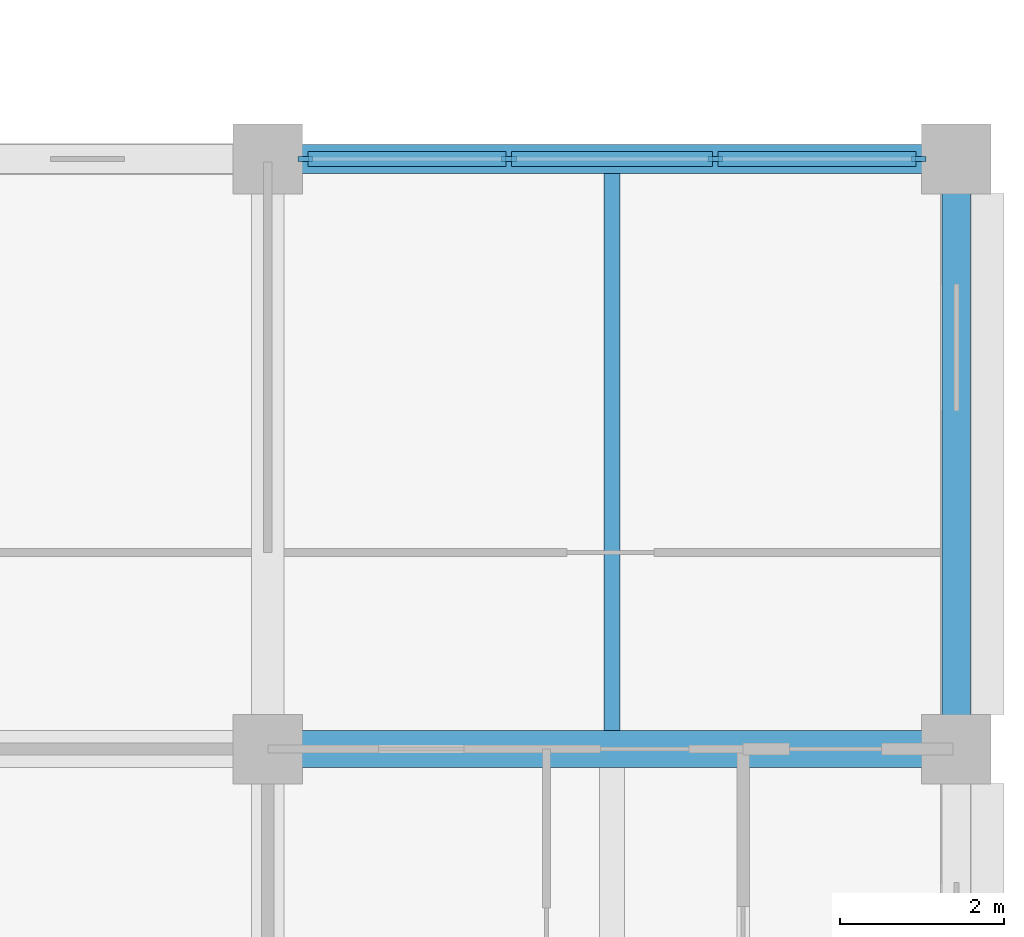
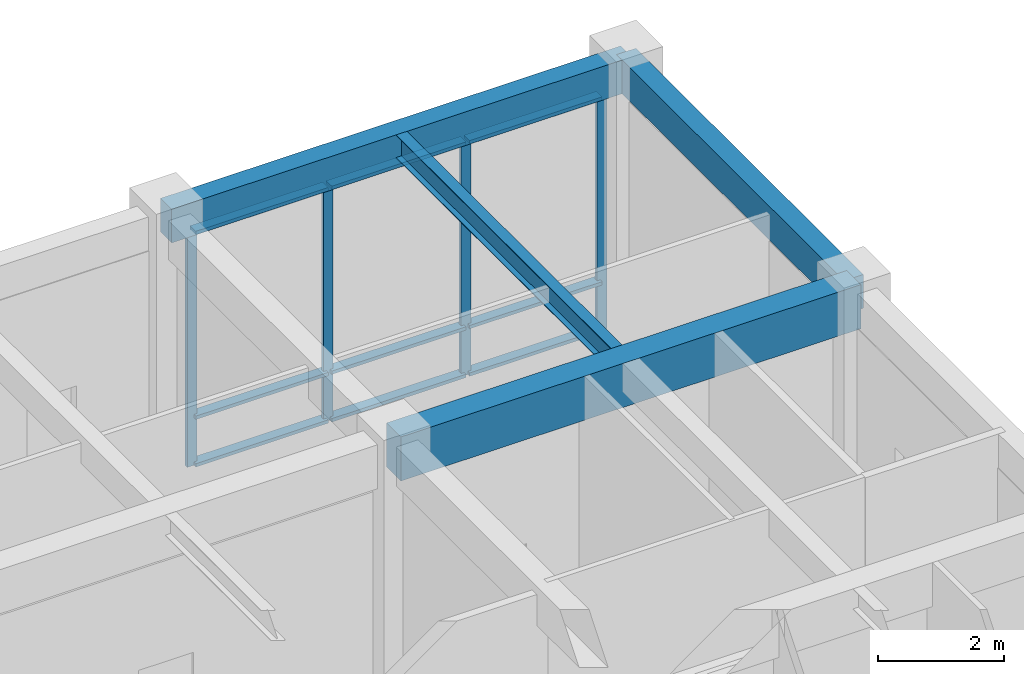
# One storey, part 25 of 58: 13 members, 4 beams, 1 element without a shape of its own.
"""IFC4 building model written with IfcOpenShell, lengths in metres."""

import ifcopenshell
import ifcopenshell.guid

model = None  # the IFC model being written
_history = None  # IfcOwnerHistory: only IFC2X3 demands one
_inside = {}  # id of a spatial element -> (the spatial element, [elements in it])
_under = {}  # id of a project, library or spatial element -> (it, [spatial elements below it])
_declared = {}  # id of a project -> (the project, [libraries it declares])
_typed = {}  # id of a type object -> (the type object, [elements of that type])
_made_of = {}  # id of a material, layer set ... -> (it, [elements and type objects made of it])


def new_model(schema):
    """Start an empty IFC model of exactly this schema.

    Asked for "IFC4X3", IfcOpenShell would pick the latest addendum, in which some entities
    have other attributes; the version numbers below select the first issue.
    IFC2X3 requires an IfcOwnerHistory on every rooted entity: one is made here for all.
    """
    global model, _history
    if schema == "IFC4X3":
        model = ifcopenshell.file(schema_version=(4, 3, 0, 0))
    else:
        model = ifcopenshell.file(schema=schema)
    _inside.clear()
    _under.clear()
    _declared.clear()
    _typed.clear()
    _made_of.clear()
    _history = None
    if model.schema == "IFC2X3":
        org = make("IfcOrganization", Name="unknown")
        user = make(
            "IfcPersonAndOrganization",
            ThePerson=make("IfcPerson", FamilyName="unknown"),
            TheOrganization=org,
        )
        app = make(
            "IfcApplication",
            ApplicationDeveloper=org,
            Version="unknown",
            ApplicationFullName="unknown",
            ApplicationIdentifier="unknown",
        )
        _history = make(
            "IfcOwnerHistory",
            OwningUser=user,
            OwningApplication=app,
            ChangeAction="ADDED",
            CreationDate=0,
        )
    return model


def make(cls, **values):
    """One entity of the class cls with the attributes given. An attribute that is None is left unset."""
    return model.create_entity(
        cls, **{name: value for name, value in values.items() if value is not None}
    )


def rooted(cls, **values):
    """An entity with a GlobalId (a new one), such as an element, a storey or a relation."""
    return make(cls, GlobalId=ifcopenshell.guid.new(), OwnerHistory=_history, **values)


def si_unit(unit_type, name, prefix=None):
    """IfcSIUnit, for example si_unit("LENGTHUNIT", "METRE", prefix="MILLI")."""
    return make("IfcSIUnit", UnitType=unit_type, Prefix=prefix, Name=name)


def assignment(units):
    """IfcUnitAssignment: the units of a project."""
    return None if units is None else make("IfcUnitAssignment", Units=units)


def point(xyz):
    """IfcCartesianPoint."""
    return None if xyz is None else make("IfcCartesianPoint", Coordinates=xyz)


def direction(xyz):
    """IfcDirection."""
    return None if xyz is None else make("IfcDirection", DirectionRatios=xyz)


def frame(location, z_axis=None, x_axis=None):
    """IfcAxis2Placement3D, a coordinate frame: its origin and axes. An axis left out is left unset."""
    return make(
        "IfcAxis2Placement3D",
        Location=point(location),
        Axis=direction(z_axis),
        RefDirection=direction(x_axis),
    )


def frame_2d(location, x_axis=None):
    """IfcAxis2Placement2D, a coordinate frame in the plane: its origin and x axis."""
    return make(
        "IfcAxis2Placement2D", Location=point(location), RefDirection=direction(x_axis)
    )


def origin():
    """The frame at (0, 0, 0) with its axes left unset."""
    return frame((0.0, 0.0, 0.0))


def origin_2d():
    """The frame at (0, 0) in the plane with its x axis left unset."""
    return frame_2d((0.0, 0.0))


def place(relative_to, where):
    """IfcLocalPlacement: puts the frame where relative to a parent placement (None: the world)."""
    return make(
        "IfcLocalPlacement", PlacementRelTo=relative_to, RelativePlacement=where
    )


def context(
    kind, dimensions, precision=None, world=None, true_north=None, identifier=None
):
    """IfcGeometricRepresentationContext, for example the 3D "Model" context."""
    return make(
        "IfcGeometricRepresentationContext",
        ContextIdentifier=identifier,
        ContextType=kind,
        CoordinateSpaceDimension=dimensions,
        Precision=precision,
        WorldCoordinateSystem=world,
        TrueNorth=true_north,
    )


def subcontext(parent, identifier, kind, view, scale=None):
    """IfcGeometricRepresentationSubContext, for example "Body" below "Model"."""
    return make(
        "IfcGeometricRepresentationSubContext",
        ContextIdentifier=identifier,
        ContextType=kind,
        ParentContext=parent,
        TargetScale=scale,
        TargetView=view,
    )


def project(units=None, contexts=None):
    """IfcProject with its units and contexts."""
    return rooted(
        "IfcProject",
        Name="project",
        RepresentationContexts=contexts,
        UnitsInContext=assignment(units),
    )


def spatial(cls, under=None, at=None, **own):
    """A site, building, storey or space (cls), placed at a placement, below another one or the project."""
    s = rooted(cls, ObjectPlacement=at, **own)
    if under is not None:
        _under.setdefault(under.id(), (under, []))[1].append(s)
    return s


def profile(cls, at=None, kind="AREA", **sizes):
    """A parametric profile (cls). Its sizes go by their IFC names, for example OverallWidth=200.0."""
    return make(cls, ProfileType=kind, Position=at, **sizes)


def rectangle(**sizes):
    """IfcRectangleProfileDef."""
    return profile("IfcRectangleProfileDef", **sizes)


def i_section(**sizes):
    """IfcIShapeProfileDef."""
    return profile("IfcIShapeProfileDef", **sizes)


def extrude(swept, where, along, depth):
    """IfcExtrudedAreaSolid: the profile swept, set in the frame where, extruded along a direction by depth."""
    return make(
        "IfcExtrudedAreaSolid",
        SweptArea=swept,
        Position=where,
        ExtrudedDirection=direction(along),
        Depth=depth,
    )


def shape(context_of_items, identifier, shape_type, items):
    """IfcShapeRepresentation: the items that make up one representation, for example the "Body"."""
    return make(
        "IfcShapeRepresentation",
        ContextOfItems=context_of_items,
        RepresentationIdentifier=identifier,
        RepresentationType=shape_type,
        Items=items,
    )


def material(Name=None, Category=None):
    """IfcMaterial."""
    return make("IfcMaterial", Name=Name, Category=Category)


def layer(
    of_material, thickness, ventilated=None, Name=None, Category=None, Priority=None
):
    """IfcMaterialLayer: one layer of a wall or slab, of a material (None: an air gap)."""
    return make(
        "IfcMaterialLayer",
        Material=of_material,
        LayerThickness=thickness,
        IsVentilated=ventilated,
        Name=Name,
        Category=Category,
        Priority=Priority,
    )


def layer_set(layers, Name=None):
    """IfcMaterialLayerSet."""
    return make("IfcMaterialLayerSet", MaterialLayers=layers, LayerSetName=Name)


def material_profile(
    of_material, cross_section, Name=None, Category=None, Priority=None
):
    """IfcMaterialProfile: a cross section and its material."""
    return make(
        "IfcMaterialProfile",
        Name=Name,
        Material=of_material,
        Profile=cross_section,
        Priority=Priority,
        Category=Category,
    )


def profile_set(profiles, Name=None, composite=None):
    """IfcMaterialProfileSet."""
    return make(
        "IfcMaterialProfileSet",
        Name=Name,
        MaterialProfiles=profiles,
        CompositeProfile=composite,
    )


def made_of(thing, what):
    """Note that an element or type object is made of a material, layer set ...; save() writes the relation."""
    if what is not None:
        _made_of.setdefault(what.id(), (what, []))[1].append(thing)
    return thing


def type_object(cls, material=None, **own):
    """A type object (cls), such as IfcWallType, which elements share."""
    return made_of(rooted(cls, **own), material)


def element(
    cls,
    number,
    at=None,
    inside=None,
    cuts=None,
    type_object=None,
    material=None,
    context=None,
    identifier="Body",
    shape_type=None,
    held_by="IfcProductDefinitionShape",
    body=None,
    shapes=None,
    **own,
):
    """One element of the class cls, such as IfcWall. Its Tag is "e" and its number.

    at: its placement. inside: the storey or other place that contains it. cuts: it is an
    opening in that element (IfcRelVoidsElement). A single representation is given by context,
    identifier, shape_type and body (its items); several are given by shapes. held_by: the class
    of the entity that holds the representations. save() writes the other relations.
    """
    e = rooted(cls, Tag="e%d" % number, ObjectPlacement=at, **own)
    if body is not None:
        shapes = [shape(context, identifier, shape_type, body)]
    if shapes is not None:
        e.Representation = make(held_by, Representations=shapes)
    if inside is not None:
        _inside.setdefault(inside.id(), (inside, []))[1].append(e)
    if cuts is not None:
        rooted(
            "IfcRelVoidsElement", RelatingBuildingElement=cuts, RelatedOpeningElement=e
        )
    if type_object is not None:
        _typed.setdefault(type_object.id(), (type_object, []))[1].append(e)
    return made_of(e, material)


def aggregate(whole, parts):
    """IfcRelAggregates: a whole, such as a stair, and the parts it consists of."""
    return rooted("IfcRelAggregates", RelatingObject=whole, RelatedObjects=parts)


def save(model, path):
    """Write the relations noted so far, then the file.

    IfcRelAggregates (storeys below a building ...), IfcRelContainedInSpatialStructure (elements
    in a storey), IfcRelDefinesByType, IfcRelAssociatesMaterial and IfcRelDeclares: one each for
    every whole, place, type object, material and project.
    """
    for whole, parts in _under.values():
        aggregate(whole, parts)
    for where, things in _inside.values():
        rooted(
            "IfcRelContainedInSpatialStructure",
            RelatedElements=things,
            RelatingStructure=where,
        )
    for kind, things in _typed.values():
        rooted("IfcRelDefinesByType", RelatedObjects=things, RelatingType=kind)
    for what, things in _made_of.values():
        rooted("IfcRelAssociatesMaterial", RelatedObjects=things, RelatingMaterial=what)
    for by, libraries in _declared.values():
        rooted("IfcRelDeclares", RelatingContext=by, RelatedDefinitions=libraries)
    model.write(path)


model = new_model("IFC4")

# Units and contexts
model_context = context("Model", 3, precision=1e-05, world=origin(), true_north=direction((0.0, 1.0)))
body_context = subcontext(model_context, "Body", "Model", "MODEL_VIEW")
ifc_project = project(units=[si_unit("LENGTHUNIT", "METRE"), si_unit("AREAUNIT", "SQUARE_METRE"), si_unit("VOLUMEUNIT", "CUBIC_METRE"), si_unit("PLANEANGLEUNIT", "RADIAN"), si_unit("MASSUNIT", "GRAM", prefix="KILO")], contexts=[model_context])

# Site, building, storey
site_placement = place(None, origin())
site = spatial("IfcSite", under=ifc_project, at=site_placement, CompositionType="ELEMENT")
building_placement = place(site_placement, origin())
building = spatial("IfcBuilding", under=site, at=building_placement, Name="Chengyuan Square Courthouse", CompositionType="ELEMENT")
storey_placement = place(building_placement, frame((0.0, 0.0, 16.199951171875)))
storey = spatial("IfcBuildingStorey", under=building, at=storey_placement, Name="L04", CompositionType="ELEMENT", Elevation=16.199951171875)

# Beams
ifc_material_1 = material(Name="Concrete C40", Category="concrete")
ifc_material_profile_1 = material_profile(ifc_material_1, rectangle(XDim=0.449951171875, YDim=0.85009765625, at=origin_2d()), Name="RC-BM-450x850")
ifc_profile_set_1 = profile_set([ifc_material_profile_1], Name="Concrete C40")
beam_type_1 = type_object("IfcBeamType", Name="BM-01", PredefinedType="USERDEFINED", material=ifc_profile_set_1)
beam_1_placement = place(storey_placement, frame((159.60009765625, 100.800048828125, 4.775146484375), z_axis=(1.0, 0.0, 0.0), x_axis=(0.0, 1.0, 0.0)))
element("IfcBeam", 1, at=beam_1_placement, inside=storey, type_object=beam_type_1, Name="Girder BM-L04-2940", ObjectType="GIRDER", PredefinedType="USERDEFINED", context=body_context, shape_type="SweptSolid", body=[
    extrude(rectangle(XDim=0.449951171875, YDim=0.85009765625, at=origin_2d()), origin(), (0.0, 0.0, 1.0), 8.39990234375),
])
ifc_material_profile_2 = material_profile(ifc_material_1, rectangle(XDim=0.35009765625, YDim=0.64990234375, at=origin_2d()), Name="RC-BM-350x650")
ifc_profile_set_2 = profile_set([ifc_material_profile_2], Name="Concrete C40")
beam_type_2 = type_object("IfcBeamType", Name="BM-03", PredefinedType="SPANDREL", material=ifc_profile_set_2)
beam_2_placement = place(storey_placement, frame((159.60009765625, 108.0, 4.875), z_axis=(1.0, 0.0, 0.0), x_axis=(0.0, 1.0, 0.0)))
element("IfcBeam", 2, at=beam_2_placement, inside=storey, type_object=beam_type_2, Name="Girder BM-L04-2960", PredefinedType="SPANDREL", context=body_context, shape_type="SweptSolid", body=[
    extrude(rectangle(XDim=0.35009765625, YDim=0.64990234375, at=origin_2d()), origin(), (0.0, 0.0, 1.0), 8.39990234375),
])
beam_3_placement = place(storey_placement, frame((168.0, 100.800048828125, 4.875), z_axis=(0.0, 1.0, 0.0), x_axis=(-1.0, 0.0, 0.0)))
element("IfcBeam", 3, at=beam_3_placement, inside=storey, type_object=beam_type_2, Name="Girder BM-L04-3092", PredefinedType="SPANDREL", context=body_context, shape_type="SweptSolid", body=[
    extrude(rectangle(XDim=0.35009765625, YDim=0.64990234375, at=origin_2d()), origin(), (0.0, 0.0, 1.0), 7.199951171875),
])
ifc_material_2 = material(Name="Steel Q355B", Category="steel")
ifc_material_profile_3 = material_profile(ifc_material_2, i_section(OverallWidth=0.199951171875, OverallDepth=0.449951171875, WebThickness=0.009033203125, FlangeThickness=0.013916015625, at=origin_2d()), Name="HN 450x200x9x14")
ifc_profile_set_3 = profile_set([ifc_material_profile_3], Name="Steel Q355B")
beam_type_3 = type_object("IfcBeamType", Name="BM-06", PredefinedType="BEAM", material=ifc_profile_set_3)
beam_4_placement = place(storey_placement, frame((163.800048828125, 101.02490234375, 4.97509765625), z_axis=(0.0, 1.0, 0.0), x_axis=(-1.0, 0.0, 0.0)))
element("IfcBeam", 4, at=beam_4_placement, inside=storey, type_object=beam_type_3, Name="Secondary Floor Beam SBM-L04-3194", PredefinedType="BEAM", context=body_context, shape_type="SweptSolid", body=[
    extrude(i_section(OverallWidth=0.199951171875, OverallDepth=0.449951171875, WebThickness=0.009033203125, FlangeThickness=0.013916015625, at=origin_2d()), origin(), (0.0, 0.0, 1.0), 6.800048828125),
])

# Curtain wall, members
ifc_material_3 = material(Name="Unitised Aluminium and Triple Low-E Glass", Category="aluminium")
ifc_layer = layer(ifc_material_3, 0.179931640625)
ifc_layer_set = layer_set([ifc_layer], Name="Unitised Aluminium and Triple Low-E Glass")
curtain_wall_type = type_object("IfcCurtainWallType", Name="CW-10", PredefinedType="USERDEFINED", material=ifc_layer_set)
curtain_wall_placement = place(storey_placement, origin())
curtain_wall = element("IfcCurtainWall", 5, at=curtain_wall_placement, inside=storey, type_object=curtain_wall_type, Name="Unitised Curtain Wall CW-L04-162", ObjectType="UNITISED CURTAIN WALL", PredefinedType="USERDEFINED")
ifc_material_4 = material(Name="Aluminium 6063-T6 Frame", Category="aluminium")
ifc_material_profile_4 = material_profile(ifc_material_4, rectangle(XDim=0.06494140625, YDim=0.179931640625, at=origin_2d()), Name="CW-MUL-65x180")
ifc_profile_set_4 = profile_set([ifc_material_profile_4], Name="Aluminium 6063-T6 Frame")
member_type_1 = type_object("IfcMemberType", Name="CWM-02", PredefinedType="MULLION", material=ifc_profile_set_4)
member_1_placement = place(storey_placement, frame((160.0576171875, 108.0, 0.0), z_axis=(0.0, 0.0, 1.0), x_axis=(0.0, 1.0, 0.0)))
member_1 = element("IfcMember", 6, at=member_1_placement, type_object=member_type_1, Name="CW-10 mullion 1", PredefinedType="MULLION", context=body_context, shape_type="SweptSolid", body=[
    extrude(rectangle(XDim=0.06494140625, YDim=0.179931640625, at=origin_2d()), origin(), (0.0, 0.0, 1.0), 4.550048828125),
])
member_2_placement = place(storey_placement, frame((162.541748046875, 108.0, 0.0), z_axis=(0.0, 0.0, 1.0), x_axis=(0.0, 1.0, 0.0)))
member_2 = element("IfcMember", 7, at=member_2_placement, type_object=member_type_1, Name="CW-10 mullion 2", PredefinedType="MULLION", context=body_context, shape_type="SweptSolid", body=[
    extrude(rectangle(XDim=0.06494140625, YDim=0.179931640625, at=origin_2d()), origin(), (0.0, 0.0, 1.0), 4.550048828125),
])
member_3_placement = place(storey_placement, frame((165.058349609375, 108.0, 0.0), z_axis=(0.0, 0.0, 1.0), x_axis=(0.0, 1.0, 0.0)))
member_3 = element("IfcMember", 8, at=member_3_placement, type_object=member_type_1, Name="CW-10 mullion 3", PredefinedType="MULLION", context=body_context, shape_type="SweptSolid", body=[
    extrude(rectangle(XDim=0.06494140625, YDim=0.179931640625, at=origin_2d()), origin(), (0.0, 0.0, 1.0), 4.550048828125),
])
member_4_placement = place(storey_placement, frame((167.54248046875, 108.0, 0.0), z_axis=(0.0, 0.0, 1.0), x_axis=(0.0, 1.0, 0.0)))
member_4 = element("IfcMember", 9, at=member_4_placement, type_object=member_type_1, Name="CW-10 mullion 4", PredefinedType="MULLION", context=body_context, shape_type="SweptSolid", body=[
    extrude(rectangle(XDim=0.06494140625, YDim=0.179931640625, at=origin_2d()), origin(), (0.0, 0.0, 1.0), 4.550048828125),
])
ifc_material_profile_5 = material_profile(ifc_material_4, rectangle(XDim=0.179931640625, YDim=0.06494140625, at=origin_2d()), Name="CW-TRN-65x140")
ifc_profile_set_5 = profile_set([ifc_material_profile_5], Name="Aluminium 6063-T6 Frame")
member_type_2 = type_object("IfcMemberType", Name="CWT-02", PredefinedType="USERDEFINED", material=ifc_profile_set_5)
member_5_placement = place(storey_placement, frame((160.090087890625, 108.0, 0.032470703125), z_axis=(1.0, 0.0, 0.0), x_axis=(0.0, 1.0, 0.0)))
member_5 = element("IfcMember", 10, at=member_5_placement, type_object=member_type_2, Name="CW-10 transom 1.1", ObjectType="TRANSOM", PredefinedType="USERDEFINED", context=body_context, shape_type="SweptSolid", body=[
    extrude(rectangle(XDim=0.179931640625, YDim=0.06494140625, at=origin_2d()), origin(), (0.0, 0.0, 1.0), 2.419189453125),
])
member_6_placement = place(storey_placement, frame((160.090087890625, 108.0, 0.949951171875), z_axis=(1.0, 0.0, 0.0), x_axis=(0.0, 1.0, 0.0)))
member_6 = element("IfcMember", 11, at=member_6_placement, type_object=member_type_2, Name="CW-10 transom 1.2", ObjectType="TRANSOM", PredefinedType="USERDEFINED", context=body_context, shape_type="SweptSolid", body=[
    extrude(rectangle(XDim=0.179931640625, YDim=0.06494140625, at=origin_2d()), origin(), (0.0, 0.0, 1.0), 2.419189453125),
])
member_7_placement = place(storey_placement, frame((160.090087890625, 108.0, 4.517578125), z_axis=(1.0, 0.0, 0.0), x_axis=(0.0, 1.0, 0.0)))
member_7 = element("IfcMember", 12, at=member_7_placement, type_object=member_type_2, Name="CW-10 transom 1.3", ObjectType="TRANSOM", PredefinedType="USERDEFINED", context=body_context, shape_type="SweptSolid", body=[
    extrude(rectangle(XDim=0.179931640625, YDim=0.06494140625, at=origin_2d()), origin(), (0.0, 0.0, 1.0), 2.419189453125),
])
member_8_placement = place(storey_placement, frame((162.57421875, 108.0, 0.032470703125), z_axis=(1.0, 0.0, 0.0), x_axis=(0.0, 1.0, 0.0)))
member_8 = element("IfcMember", 13, at=member_8_placement, type_object=member_type_2, Name="CW-10 transom 2.1", ObjectType="TRANSOM", PredefinedType="USERDEFINED", context=body_context, shape_type="SweptSolid", body=[
    extrude(rectangle(XDim=0.179931640625, YDim=0.06494140625, at=origin_2d()), origin(), (0.0, 0.0, 1.0), 2.45166015625),
])
member_9_placement = place(storey_placement, frame((162.57421875, 108.0, 0.949951171875), z_axis=(1.0, 0.0, 0.0), x_axis=(0.0, 1.0, 0.0)))
member_9 = element("IfcMember", 14, at=member_9_placement, type_object=member_type_2, Name="CW-10 transom 2.2", ObjectType="TRANSOM", PredefinedType="USERDEFINED", context=body_context, shape_type="SweptSolid", body=[
    extrude(rectangle(XDim=0.179931640625, YDim=0.06494140625, at=origin_2d()), origin(), (0.0, 0.0, 1.0), 2.45166015625),
])
member_10_placement = place(storey_placement, frame((162.57421875, 108.0, 4.517578125), z_axis=(1.0, 0.0, 0.0), x_axis=(0.0, 1.0, 0.0)))
member_10 = element("IfcMember", 15, at=member_10_placement, type_object=member_type_2, Name="CW-10 transom 2.3", ObjectType="TRANSOM", PredefinedType="USERDEFINED", context=body_context, shape_type="SweptSolid", body=[
    extrude(rectangle(XDim=0.179931640625, YDim=0.06494140625, at=origin_2d()), origin(), (0.0, 0.0, 1.0), 2.45166015625),
])
member_11_placement = place(storey_placement, frame((165.0908203125, 108.0, 0.032470703125), z_axis=(1.0, 0.0, 0.0), x_axis=(0.0, 1.0, 0.0)))
member_11 = element("IfcMember", 16, at=member_11_placement, type_object=member_type_2, Name="CW-10 transom 3.1", ObjectType="TRANSOM", PredefinedType="USERDEFINED", context=body_context, shape_type="SweptSolid", body=[
    extrude(rectangle(XDim=0.179931640625, YDim=0.06494140625, at=origin_2d()), origin(), (0.0, 0.0, 1.0), 2.419189453125),
])
member_12_placement = place(storey_placement, frame((165.0908203125, 108.0, 0.949951171875), z_axis=(1.0, 0.0, 0.0), x_axis=(0.0, 1.0, 0.0)))
member_12 = element("IfcMember", 17, at=member_12_placement, type_object=member_type_2, Name="CW-10 transom 3.2", ObjectType="TRANSOM", PredefinedType="USERDEFINED", context=body_context, shape_type="SweptSolid", body=[
    extrude(rectangle(XDim=0.179931640625, YDim=0.06494140625, at=origin_2d()), origin(), (0.0, 0.0, 1.0), 2.419189453125),
])
member_13_placement = place(storey_placement, frame((165.0908203125, 108.0, 4.517578125), z_axis=(1.0, 0.0, 0.0), x_axis=(0.0, 1.0, 0.0)))
member_13 = element("IfcMember", 18, at=member_13_placement, type_object=member_type_2, Name="CW-10 transom 3.3", ObjectType="TRANSOM", PredefinedType="USERDEFINED", context=body_context, shape_type="SweptSolid", body=[
    extrude(rectangle(XDim=0.179931640625, YDim=0.06494140625, at=origin_2d()), origin(), (0.0, 0.0, 1.0), 2.419189453125),
])
aggregate(curtain_wall, [member_1, member_2, member_3, member_4, member_5, member_6, member_7, member_8, member_9, member_10, member_11, member_12, member_13])

save(model, "model.ifc")
